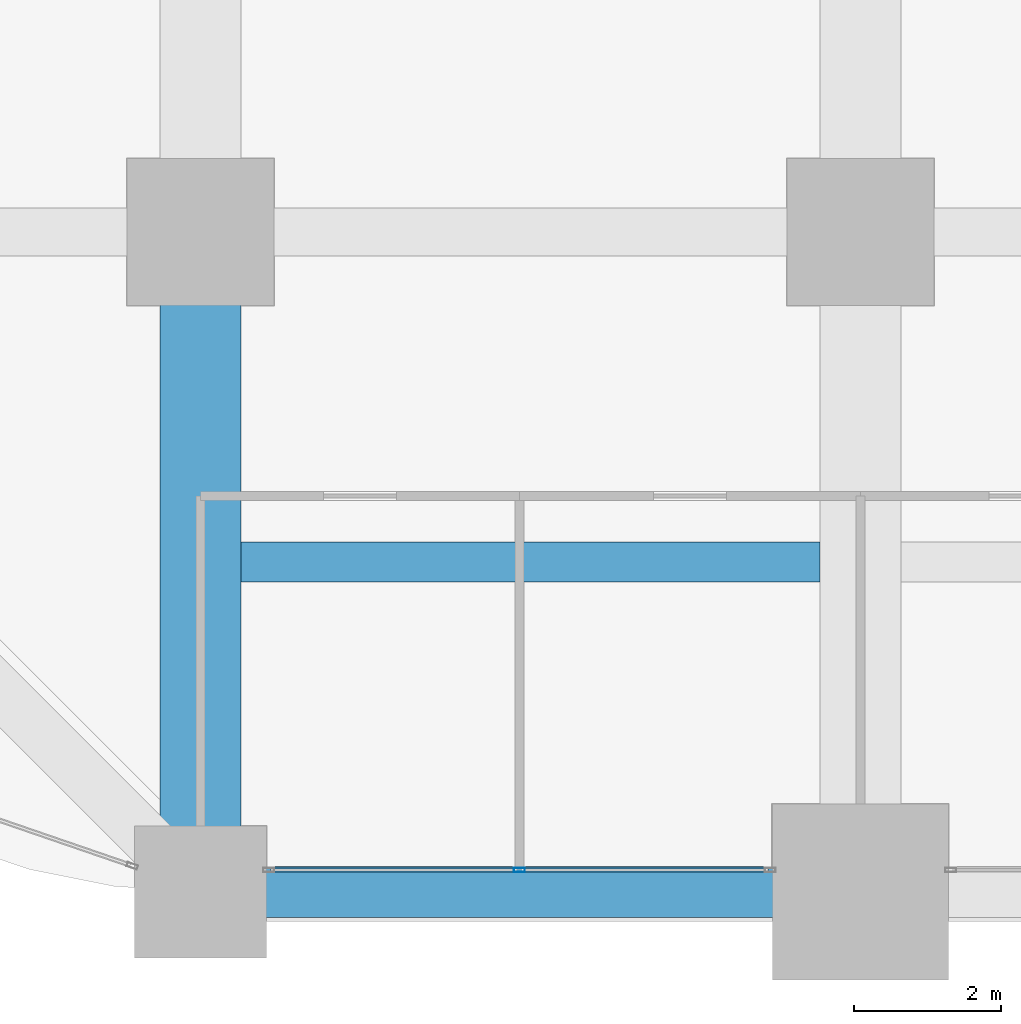
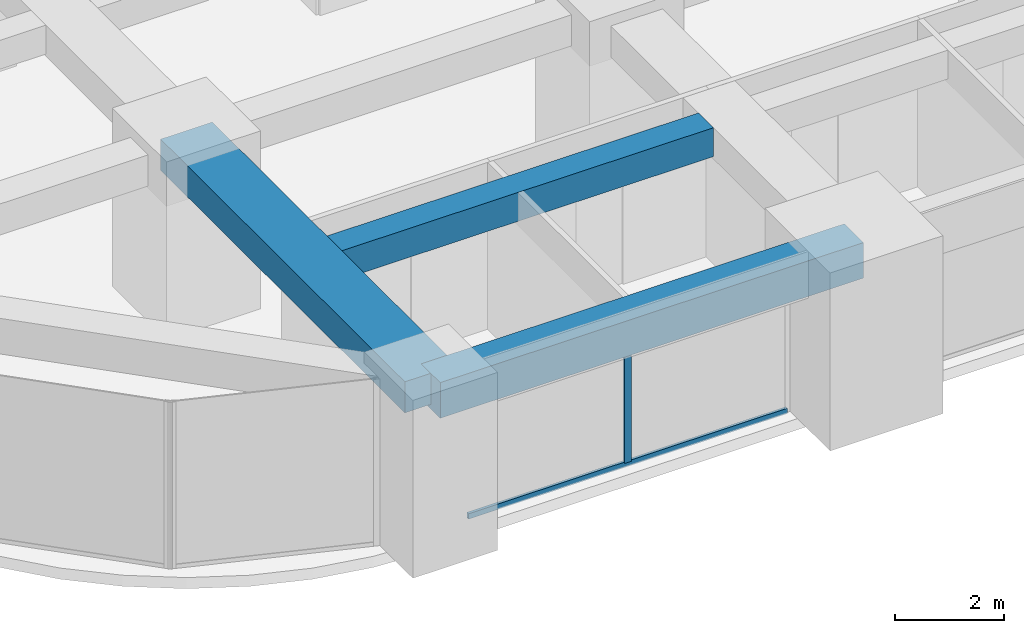
# One storey, part 3 of 41: 3 beams, 2 members, 1 element without a shape of its own.
"""IFC4 building model written with IfcOpenShell, lengths in metres."""

from ifc_helpers import new_model, si_unit, direction, frame, origin, origin_2d, place, context, subcontext, project, spatial, rectangle, hollow_rectangle, extrude, material, material_profile, profile_set, type_object, element, aggregate, save


model = new_model("IFC4")

# Units and contexts
model_context = context("Model", 3, precision=1e-05, world=origin(), true_north=direction((0.0, 1.0)))
body_context = subcontext(model_context, "Body", "Model", "MODEL_VIEW")
ifc_project = project(units=[si_unit("LENGTHUNIT", "METRE"), si_unit("AREAUNIT", "SQUARE_METRE"), si_unit("VOLUMEUNIT", "CUBIC_METRE"), si_unit("PLANEANGLEUNIT", "RADIAN"), si_unit("MASSUNIT", "GRAM", prefix="KILO")], contexts=[model_context])

# Site, building, storey
site_placement = place(None, origin())
site = spatial("IfcSite", under=ifc_project, at=site_placement, CompositionType="ELEMENT")
building_placement = place(site_placement, origin())
building = spatial("IfcBuilding", under=site, at=building_placement, Name="Zorevar Civic Tower", CompositionType="ELEMENT")
storey_placement = place(building_placement, frame((0.0, 0.0, 101.0)))
storey = spatial("IfcBuildingStorey", under=building, at=storey_placement, Name="L24", CompositionType="ELEMENT", Elevation=101.0)

# Beams
ifc_material_1 = material(Name="Concrete C50/60", Category="concrete")
ifc_material_profile_1 = material_profile(ifc_material_1, rectangle(XDim=1.10009765625, YDim=0.699951171875, at=origin_2d()), Name="RC 1100x700")
ifc_profile_set_1 = profile_set([ifc_material_profile_1], Name="Concrete C50/60")
beam_type_1 = type_object("IfcBeamType", Name="Beam RC 1100x700", PredefinedType="BEAM", material=ifc_profile_set_1)
beam_1_placement = place(storey_placement, frame((9.0, 0.0, 3.39990234375), z_axis=(0.0, 1.0, 0.0), x_axis=(-1.0, 0.0, 0.0)))
element("IfcBeam", 1, at=beam_1_placement, inside=storey, type_object=beam_type_1, Name="Girder L25", PredefinedType="BEAM", context=body_context, shape_type="SweptSolid", body=[
    extrude(rectangle(XDim=1.10009765625, YDim=0.699951171875, at=origin_2d()), origin(), (0.0, 0.0, 1.0), 9.0),
])
ifc_material_2 = material(Name="Concrete C50/60", Category="concrete")
ifc_material_profile_2 = material_profile(ifc_material_2, rectangle(XDim=0.550048828125, YDim=0.64990234375, at=origin_2d()), Name="RC 550x650")
ifc_profile_set_2 = profile_set([ifc_material_profile_2], Name="Concrete C50/60")
beam_type_2 = type_object("IfcBeamType", Name="Beam RC 550x650", PredefinedType="BEAM", material=ifc_profile_set_2)
beam_2_placement = place(storey_placement, frame((9.550048828125, 4.5, 3.425048828125), z_axis=(1.0, 0.0, 0.0), x_axis=(0.0, 1.0, 0.0)))
element("IfcBeam", 2, at=beam_2_placement, inside=storey, type_object=beam_type_2, Name="Secondary beam L25", PredefinedType="BEAM", context=body_context, shape_type="SweptSolid", body=[
    extrude(rectangle(XDim=0.550048828125, YDim=0.64990234375, at=origin_2d()), origin(), (0.0, 0.0, 1.0), 7.89990234375),
])

# Curtain wall, members
ifc_material_3 = material(Name="Dark grey solar-control glass in black aluminium frame", Category="aluminium")
curtain_wall_type = type_object("IfcCurtainWallType", Name="Curtain wall CW3 mid zone", PredefinedType="NOTDEFINED", material=ifc_material_3)
curtain_wall_placement = place(storey_placement, origin())
curtain_wall = element("IfcCurtainWall", 3, at=curtain_wall_placement, inside=storey, type_object=curtain_wall_type, Name="CW3 L24", PredefinedType="NOTDEFINED")
ifc_material_4 = material(Name="Aluminium, black anodised", Category="aluminium")
ifc_material_profile_3 = material_profile(ifc_material_4, hollow_rectangle(XDim=0.06005859375, YDim=0.14990234375, WallThickness=0.00390625, at=origin_2d()), Name="AL 150x60x4")
ifc_profile_set_3 = profile_set([ifc_material_profile_3], Name="Aluminium, black anodised")
member_type_1 = type_object("IfcMemberType", Name="CW3 mullion AL 150x60x4", PredefinedType="MULLION", material=ifc_profile_set_3)
member_1_placement = place(storey_placement, frame((13.35009765625, 0.300048828125, 0.06005859375), z_axis=(0.0, 0.0, 1.0), x_axis=(0.0, 1.0, 0.0)))
member_1 = element("IfcMember", 4, at=member_1_placement, type_object=member_type_1, Name="CW3 mullion 2", PredefinedType="MULLION", context=body_context, shape_type="SweptSolid", body=[
    extrude(hollow_rectangle(XDim=0.06005859375, YDim=0.14990234375, WallThickness=0.00390625, at=origin_2d()), origin(), (0.0, 0.0, 1.0), 2.889892578125),
])
ifc_material_5 = material(Name="Aluminium, black anodised", Category="aluminium")
ifc_material_profile_4 = material_profile(ifc_material_5, hollow_rectangle(XDim=0.06005859375, YDim=0.1201171875, WallThickness=0.0029296875, at=origin_2d()), Name="AL 120x60x3")
ifc_profile_set_4 = profile_set([ifc_material_profile_4], Name="Aluminium, black anodised")
member_type_2 = type_object("IfcMemberType", Name="CW3 transom AL 120x60x3", PredefinedType="USERDEFINED", material=ifc_profile_set_4)
member_2_placement = place(storey_placement, frame((9.9599609375, 0.300048828125, 0.030029296875), z_axis=(1.0, 0.0, 0.0), x_axis=(0.0, 1.0, 0.0)))
member_2 = element("IfcMember", 5, at=member_2_placement, type_object=member_type_2, Name="CW3 sill transom", ObjectType="TRANSOM", PredefinedType="USERDEFINED", context=body_context, shape_type="SweptSolid", body=[
    extrude(hollow_rectangle(XDim=0.06005859375, YDim=0.1201171875, WallThickness=0.0029296875, at=origin_2d()), origin(), (0.0, 0.0, 1.0), 6.780029296875),
])
aggregate(curtain_wall, [member_1, member_2])

# Beam
ifc_material_6 = material(Name="Concrete C50/60", Category="concrete")
ifc_material_profile_5 = material_profile(ifc_material_6, rectangle(XDim=0.699951171875, YDim=0.800048828125, at=origin_2d()), Name="RC 700x800")
ifc_profile_set_5 = profile_set([ifc_material_profile_5], Name="Concrete C50/60")
beam_type_3 = type_object("IfcBeamType", Name="Edge beam RC 700x800", PredefinedType="SPANDREL", material=ifc_profile_set_5)
beam_3_placement = place(storey_placement, frame((9.0, 0.0, 3.35009765625), z_axis=(1.0, 0.0, 0.0), x_axis=(0.0, 1.0, 0.0)))
element("IfcBeam", 6, at=beam_3_placement, inside=storey, type_object=beam_type_3, Name="Edge beam L25", PredefinedType="SPANDREL", context=body_context, shape_type="SweptSolid", body=[
    extrude(rectangle(XDim=0.699951171875, YDim=0.800048828125, at=origin_2d()), origin(), (0.0, 0.0, 1.0), 9.0),
])

save(model, "model.ifc")
